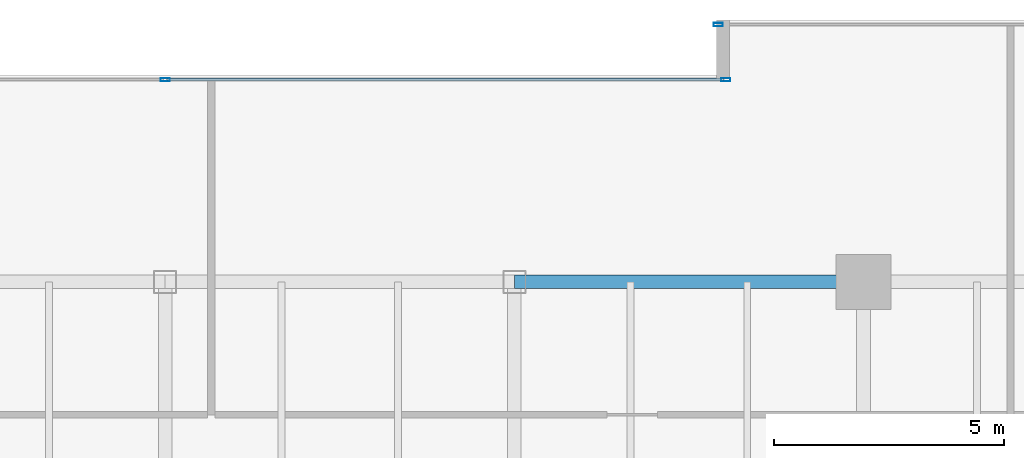
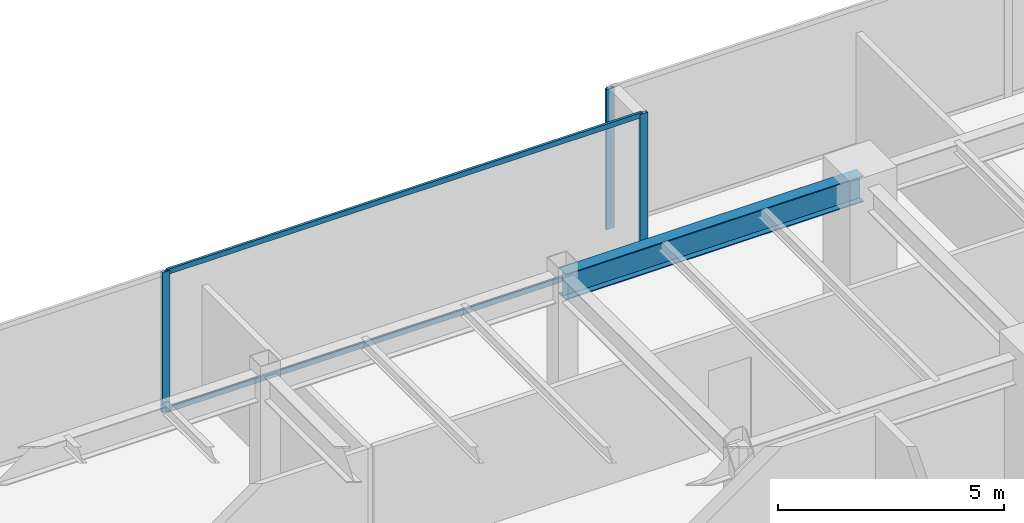
# One storey, part 18 of 30: 5 members, 1 beam, 2 elements without a shape of their own.
"""IFC4 building model written with IfcOpenShell, lengths in metres."""

from ifc_helpers import new_model, si_unit, direction, frame, origin, origin_2d, place, context, subcontext, project, spatial, hollow_rectangle, i_section, extrude, source, transform, mapped, material, layer, layer_set, material_profile, profile_set, type_object, type_shapes, element, aggregate, save


model = new_model("IFC4")

# Units and contexts
model_context = context("Model", 3, precision=1e-05, world=origin(), true_north=direction((0.0, 1.0)))
body_context = subcontext(model_context, "Body", "Model", "MODEL_VIEW")
ifc_project = project(units=[si_unit("LENGTHUNIT", "METRE"), si_unit("AREAUNIT", "SQUARE_METRE"), si_unit("VOLUMEUNIT", "CUBIC_METRE"), si_unit("PLANEANGLEUNIT", "RADIAN"), si_unit("MASSUNIT", "GRAM", prefix="KILO")], contexts=[model_context])

# Site, building, storey
site_placement = place(None, origin())
site = spatial("IfcSite", under=ifc_project, at=site_placement, CompositionType="ELEMENT")
building_placement = place(site_placement, origin())
building = spatial("IfcBuilding", under=site, at=building_placement, Name="Haelvirn Gate Laboratories", CompositionType="ELEMENT")
storey_placement = place(building_placement, frame((0.0, 0.0, 105.10009765625)))
storey = spatial("IfcBuildingStorey", under=building, at=storey_placement, Name="L25", CompositionType="ELEMENT", Elevation=105.10009765625)

# Beam
ifc_material_1 = material(Name="Steel SM355", Category="steel")
ifc_material_profile_1 = material_profile(ifc_material_1, i_section(OverallWidth=0.300048828125, OverallDepth=0.699951171875, WebThickness=0.012939453125, FlangeThickness=0.02392578125, at=origin_2d()), Name="H-700x300x13x24")
ifc_profile_set_1 = profile_set([ifc_material_profile_1], Name="Steel SM355")
beam_type = type_object("IfcBeamType", Name="BM-G-700", PredefinedType="BEAM", material=ifc_profile_set_1)
shared_shape_1 = source(origin(), body_context, "Body", "SweptSolid", [
    extrude(i_section(OverallWidth=0.300048828125, OverallDepth=0.699951171875, WebThickness=0.012939453125, FlangeThickness=0.02392578125, at=origin_2d()), origin(), (0.0, 0.0, 1.0), 7.60009765625),
])
type_shapes(beam_type, [shared_shape_1])
beam_placement = place(storey_placement, frame((45.0, 41.60009765625, 3.43994140625), z_axis=(1.0, 0.0, 0.0), x_axis=(0.0, 1.0, 0.0)))
element("IfcBeam", 1, at=beam_placement, inside=storey, type_object=beam_type, Name="L25 Primary Girder Y41.6 (45.0-52.6)", PredefinedType="BEAM", context=body_context, shape_type="MappedRepresentation", body=[
    mapped(shared_shape_1, transform((0.0, 0.0, 0.0), scale=1.0)),
])

# Curtain wall, members
ifc_material_2 = material(Name="Anodised bronze unitised aluminium & triple low-E glass", Category="aluminium")
ifc_layer = layer(ifc_material_2, 0.179931640625, Name="CW-SYS-3")
ifc_layer_set = layer_set([ifc_layer], Name="Anodised bronze unitised aluminium & triple low-E glass")
curtain_wall_type = type_object("IfcCurtainWallType", Name="CW-SYS-3", PredefinedType="NOTDEFINED", material=ifc_layer_set)
curtain_wall_1_placement = place(storey_placement, origin())
curtain_wall_1 = element("IfcCurtainWall", 2, at=curtain_wall_1_placement, inside=storey, type_object=curtain_wall_type, Name="L25 Unitised Curtain Wall CW-L25-P0-E12-1", PredefinedType="NOTDEFINED")
ifc_material_3 = material(Name="Extruded aluminium 6063-T6 (anodised bronze)", Category="aluminium")
ifc_material_profile_2 = material_profile(ifc_material_3, hollow_rectangle(XDim=0.06494140625, YDim=0.139892578125, WallThickness=0.00390625, at=origin_2d()), Name="CWT-140x65x4")
ifc_profile_set_2 = profile_set([ifc_material_profile_2], Name="Extruded aluminium 6063-T6 (anodised bronze)")
member_type_1 = type_object("IfcMemberType", Name="CWT-T140", PredefinedType="USERDEFINED", material=ifc_profile_set_2)
shared_shape_2 = source(origin(), body_context, "Body", "SweptSolid", [
    extrude(hollow_rectangle(XDim=0.06494140625, YDim=0.139892578125, WallThickness=0.00390625, at=origin_2d()), origin(), (0.0, 0.0, 1.0), 12.12744140625),
])
type_shapes(member_type_1, [shared_shape_2])
member_1_placement = place(storey_placement, frame((37.4375, 46.0, 0.032470703125), z_axis=(1.0, 0.0, 0.0), x_axis=(0.0, 1.0, 0.0)))
member_1 = element("IfcMember", 3, at=member_1_placement, type_object=member_type_1, Name="CW3 transom 2.1", ObjectType="TRANSOM", PredefinedType="USERDEFINED", context=body_context, shape_type="MappedRepresentation", body=[
    mapped(shared_shape_2, transform((0.0, 0.0, 0.0), scale=1.0)),
])
member_2_placement = place(storey_placement, frame((37.4375, 46.0, 3.75732421875), z_axis=(1.0, 0.0, 0.0), x_axis=(0.0, 1.0, 0.0)))
member_2 = element("IfcMember", 4, at=member_2_placement, type_object=member_type_1, Name="CW3 transom 2.2", ObjectType="TRANSOM", PredefinedType="USERDEFINED", context=body_context, shape_type="MappedRepresentation", body=[
    mapped(shared_shape_2, transform((0.0, 0.0, 0.0), scale=1.0)),
])

# Curtain wall, member
curtain_wall_2_placement = place(storey_placement, origin())
curtain_wall_2 = element("IfcCurtainWall", 5, at=curtain_wall_2_placement, inside=storey, type_object=curtain_wall_type, Name="L25 Unitised Curtain Wall CW-L25-P0-E10-1", PredefinedType="NOTDEFINED")
ifc_material_profile_3 = material_profile(ifc_material_3, hollow_rectangle(XDim=0.074951171875, YDim=0.199951171875, WallThickness=0.0048828125, at=origin_2d()), Name="CWM-200x75x5")
ifc_profile_set_3 = profile_set([ifc_material_profile_3], Name="Extruded aluminium 6063-T6 (anodised bronze)")
member_type_2 = type_object("IfcMemberType", Name="CWM-T200", PredefinedType="MULLION", material=ifc_profile_set_3)
shared_shape_3 = source(origin(), body_context, "Body", "SweptSolid", [
    extrude(hollow_rectangle(XDim=0.074951171875, YDim=0.199951171875, WallThickness=0.0048828125, at=origin_2d()), origin(), (0.0, 0.0, 1.0), 3.789794921875),
])
type_shapes(member_type_2, [shared_shape_3])
member_3_placement = place(storey_placement, frame((49.4375, 47.199951171875, 0.0), z_axis=(0.0, 0.0, 1.0), x_axis=(0.0, 1.0, 0.0)))
member_3 = element("IfcMember", 6, at=member_3_placement, type_object=member_type_2, Name="CW3 mullion 1", PredefinedType="MULLION", context=body_context, shape_type="MappedRepresentation", body=[
    mapped(shared_shape_3, transform((0.0, 0.0, 0.0), scale=1.0)),
])
aggregate(curtain_wall_2, [member_3])

# Member
member_4_placement = place(storey_placement, frame((37.39990234375, 46.0, 0.0), z_axis=(0.0, 0.0, 1.0), x_axis=(0.0, 1.0, 0.0)))
member_4 = element("IfcMember", 7, at=member_4_placement, type_object=member_type_2, Name="CW3 mullion 2", PredefinedType="MULLION", context=body_context, shape_type="MappedRepresentation", body=[
    mapped(shared_shape_3, transform((0.0, 0.0, 0.0), scale=1.0)),
])

member_5_placement = place(storey_placement, frame((49.6025390625, 46.0, 0.0), z_axis=(0.0, 0.0, 1.0), x_axis=(0.0, 1.0, 0.0)))
member_5 = element("IfcMember", 8, at=member_5_placement, type_object=member_type_2, Name="CW3 mullion 3", PredefinedType="MULLION", context=body_context, shape_type="MappedRepresentation", body=[
    mapped(shared_shape_3, transform((0.0, 0.0, 0.0), scale=1.0)),
])

aggregate(curtain_wall_1, [member_4, member_5, member_1, member_2])

save(model, "model.ifc")
